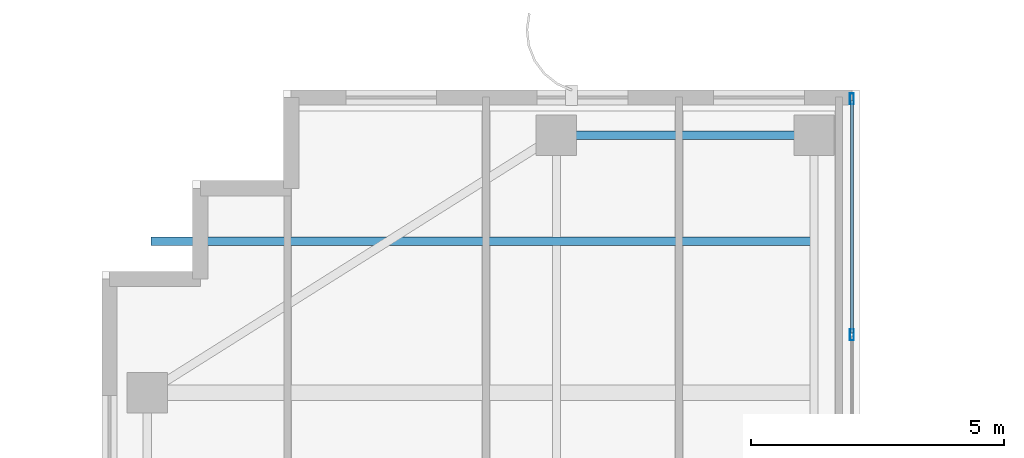
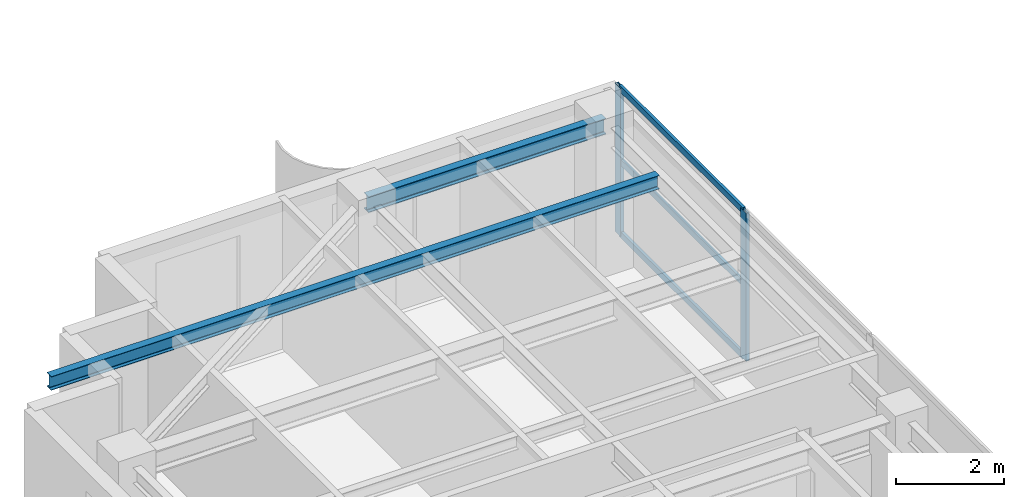
# One storey, part 15 of 24: 5 members, 2 beams, 1 element without a shape of its own.
"""IFC4 building model written with IfcOpenShell, lengths in metres."""

from ifc_helpers import new_model, si_unit, direction, frame, origin, origin_2d, place, context, subcontext, project, spatial, hollow_rectangle, i_section, extrude, source, transform, mapped, material, layer, layer_set, material_profile, profile_set, type_object, element, aggregate, save


model = new_model("IFC4")

# Units and contexts
model_context = context("Model", 3, precision=1e-05, world=origin(), true_north=direction((0.0, 1.0)))
body_context = subcontext(model_context, "Body", "Model", "MODEL_VIEW")
ifc_project = project(units=[si_unit("LENGTHUNIT", "METRE"), si_unit("AREAUNIT", "SQUARE_METRE"), si_unit("VOLUMEUNIT", "CUBIC_METRE"), si_unit("PLANEANGLEUNIT", "RADIAN"), si_unit("MASSUNIT", "GRAM", prefix="KILO")], contexts=[model_context])

# Site, building, storey
site_placement = place(None, origin())
site = spatial("IfcSite", under=ifc_project, at=site_placement, CompositionType="ELEMENT")
building_placement = place(site_placement, origin())
building = spatial("IfcBuilding", under=site, at=building_placement, Name="Khoralis Quay Care Tower", CompositionType="ELEMENT")
storey_placement = place(building_placement, frame((0.0, 0.0, 234.89990234375)))
storey = spatial("IfcBuildingStorey", under=building, at=storey_placement, Name="L61", CompositionType="ELEMENT", Elevation=234.89990234375)

# Beams
ifc_material_1 = material(Name="Steel S355", Category="steel")
ifc_material_profile_1 = material_profile(ifc_material_1, i_section(OverallWidth=0.169921875, OverallDepth=0.360107421875, WebThickness=0.008056640625, FlangeThickness=0.0126953125, FilletRadius=0.01806640625, at=origin_2d()), Name="Steel S355")
ifc_profile_set_1 = profile_set([ifc_material_profile_1], Name="Steel S355")
beam_type_1 = type_object("IfcBeamType", Name="BM-IPE360", PredefinedType="SPANDREL", material=ifc_profile_set_1)
shared_shape_1 = source(origin(), body_context, "Body", "SweptSolid", [
    extrude(i_section(OverallWidth=0.169921875, OverallDepth=0.360107421875, WebThickness=0.008056640625, FlangeThickness=0.0126953125, FilletRadius=0.01806640625, at=origin_2d()), origin(), (0.0, 0.0, 1.0), 5.10009765625),
])
beam_1_placement = place(storey_placement, frame((12.0, 41.10009765625, 3.18017578125), z_axis=(1.0, 0.0, 0.0), x_axis=(0.0, 1.0, 0.0)))
element("IfcBeam", 1, at=beam_1_placement, inside=storey, type_object=beam_type_1, Name="BM-TSP-L61-03", PredefinedType="SPANDREL", context=body_context, shape_type="MappedRepresentation", body=[
    mapped(shared_shape_1, transform((0.0, 0.0, 0.0), scale=1.0)),
])
ifc_material_profile_2 = material_profile(ifc_material_1, i_section(OverallWidth=0.1650390625, OverallDepth=0.31005859375, WebThickness=0.005859375, FlangeThickness=0.009765625, FilletRadius=0.011962890625, at=origin_2d()), Name="Steel S355")
ifc_profile_set_2 = profile_set([ifc_material_profile_2], Name="Steel S355")
beam_type_2 = type_object("IfcBeamType", Name="BM-W310X39", PredefinedType="JOIST", material=ifc_profile_set_2)
shared_shape_2 = source(origin(), body_context, "Body", "SweptSolid", [
    extrude(i_section(OverallWidth=0.1650390625, OverallDepth=0.31005859375, WebThickness=0.005859375, FlangeThickness=0.009765625, FilletRadius=0.011962890625, at=origin_2d()), origin(), (0.0, 0.0, 1.0), 13.06396484375),
])
beam_2_placement = place(storey_placement, frame((3.970947265625, 39.0, 3.205078125), z_axis=(1.0, 0.0, 0.0), x_axis=(0.0, 1.0, 0.0)))
element("IfcBeam", 2, at=beam_2_placement, inside=storey, type_object=beam_type_2, Name="BM-TJS-L61-21", PredefinedType="JOIST", context=body_context, shape_type="MappedRepresentation", body=[
    mapped(shared_shape_2, transform((0.0, 0.0, 0.0), scale=1.0)),
])

# Curtain wall, members
ifc_material_2 = material(Name="Pale anodised aluminium", Category="aluminium")
ifc_layer = layer(ifc_material_2, 0.18994140625)
ifc_layer_set = layer_set([ifc_layer], Name="Pale anodised aluminium")
curtain_wall_type = type_object("IfcCurtainWallType", Name="CW-SYS-PORTAL", PredefinedType="NOTDEFINED", material=ifc_layer_set)
curtain_wall_placement = place(storey_placement, origin())
curtain_wall = element("IfcCurtainWall", 3, at=curtain_wall_placement, inside=storey, type_object=curtain_wall_type, Name="L61 Unitised Curtain Wall CW-VP-L61-P1-N", PredefinedType="NOTDEFINED")
ifc_material_profile_3 = material_profile(ifc_material_2, hollow_rectangle(XDim=0.06005859375, YDim=0.139892578125, WallThickness=0.00390625, at=origin_2d()), Name="Pale anodised aluminium")
ifc_profile_set_3 = profile_set([ifc_material_profile_3], Name="Pale anodised aluminium")
member_type_1 = type_object("IfcMemberType", Name="CW-TRN-140", PredefinedType="USERDEFINED", material=ifc_profile_set_3)
shared_shape_3 = source(origin(), body_context, "Body", "SweptSolid", [
    extrude(hollow_rectangle(XDim=0.06005859375, YDim=0.139892578125, WallThickness=0.00390625, at=origin_2d()), origin(), (0.0, 0.0, 1.0), 4.610107421875),
])
member_1_placement = place(storey_placement, frame((17.85009765625, 37.179931640625, 0.030029296875), z_axis=(0.0, 1.0, 0.0), x_axis=(-1.0, 0.0, 0.0)))
member_1 = element("IfcMember", 4, at=member_1_placement, type_object=member_type_1, Name="CW4 transom 3.1", ObjectType="TRANSOM", PredefinedType="USERDEFINED", context=body_context, shape_type="MappedRepresentation", body=[
    mapped(shared_shape_3, transform((0.0, 0.0, 0.0), scale=1.0)),
])
member_2_placement = place(storey_placement, frame((17.85009765625, 37.179931640625, 1.68017578125), z_axis=(0.0, 1.0, 0.0), x_axis=(-1.0, 0.0, 0.0)))
member_2 = element("IfcMember", 5, at=member_2_placement, type_object=member_type_1, Name="CW4 transom 3.2", ObjectType="TRANSOM", PredefinedType="USERDEFINED", context=body_context, shape_type="MappedRepresentation", body=[
    mapped(shared_shape_3, transform((0.0, 0.0, 0.0), scale=1.0)),
])
member_3_placement = place(storey_placement, frame((17.85009765625, 37.179931640625, 3.330078125), z_axis=(0.0, 1.0, 0.0), x_axis=(-1.0, 0.0, 0.0)))
member_3 = element("IfcMember", 6, at=member_3_placement, type_object=member_type_1, Name="CW4 transom 3.3", ObjectType="TRANSOM", PredefinedType="USERDEFINED", context=body_context, shape_type="MappedRepresentation", body=[
    mapped(shared_shape_3, transform((0.0, 0.0, 0.0), scale=1.0)),
])
ifc_material_profile_4 = material_profile(ifc_material_2, hollow_rectangle(XDim=0.074951171875, YDim=0.219970703125, WallThickness=0.00390625, at=origin_2d()), Name="Pale anodised aluminium")
ifc_profile_set_4 = profile_set([ifc_material_profile_4], Name="Pale anodised aluminium")
member_type_2 = type_object("IfcMemberType", Name="CW-MUL-220", PredefinedType="MULLION", material=ifc_profile_set_4)
shared_shape_4 = source(origin(), body_context, "Body", "SweptSolid", [
    extrude(hollow_rectangle(XDim=0.074951171875, YDim=0.219970703125, WallThickness=0.00390625, at=origin_2d()), origin(), (0.0, 0.0, 1.0), 3.360107421875),
])
member_4_placement = place(storey_placement, frame((17.85009765625, 37.14990234375, 0.0), z_axis=(0.0, 0.0, 1.0), x_axis=(-1.0, 0.0, 0.0)))
member_4 = element("IfcMember", 7, at=member_4_placement, type_object=member_type_2, Name="CW4 mullion 3", PredefinedType="MULLION", context=body_context, shape_type="MappedRepresentation", body=[
    mapped(shared_shape_4, transform((0.0, 0.0, 0.0), scale=1.0)),
])
member_5_placement = place(storey_placement, frame((17.85009765625, 41.820068359375, 0.0), z_axis=(0.0, 0.0, 1.0), x_axis=(-1.0, 0.0, 0.0)))
member_5 = element("IfcMember", 8, at=member_5_placement, type_object=member_type_2, Name="CW4 mullion 4", PredefinedType="MULLION", context=body_context, shape_type="MappedRepresentation", body=[
    mapped(shared_shape_4, transform((0.0, 0.0, 0.0), scale=1.0)),
])
aggregate(curtain_wall, [member_4, member_5, member_1, member_2, member_3])

save(model, "model.ifc")
